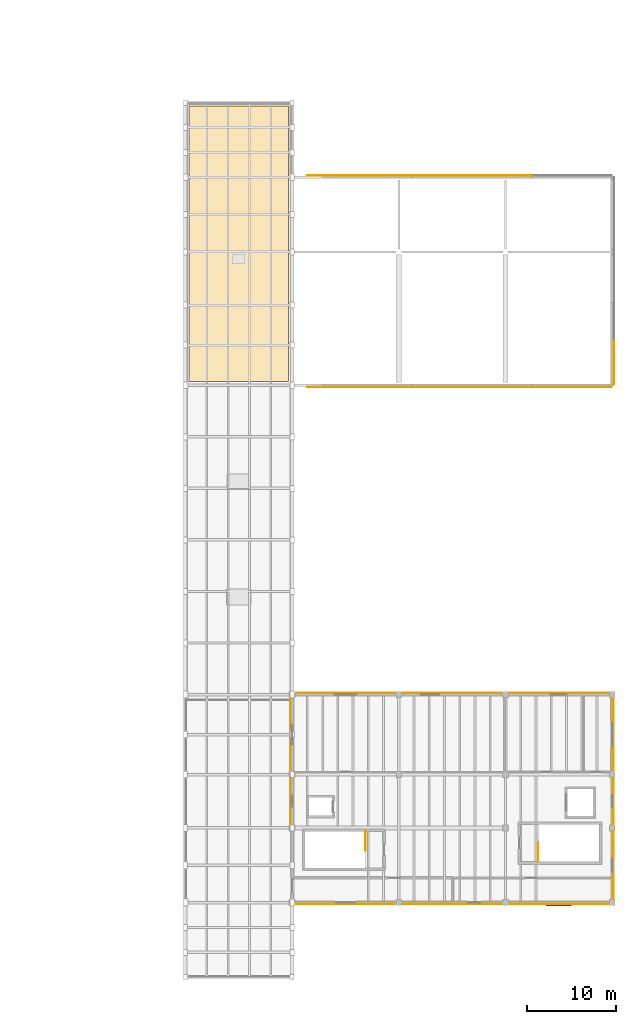
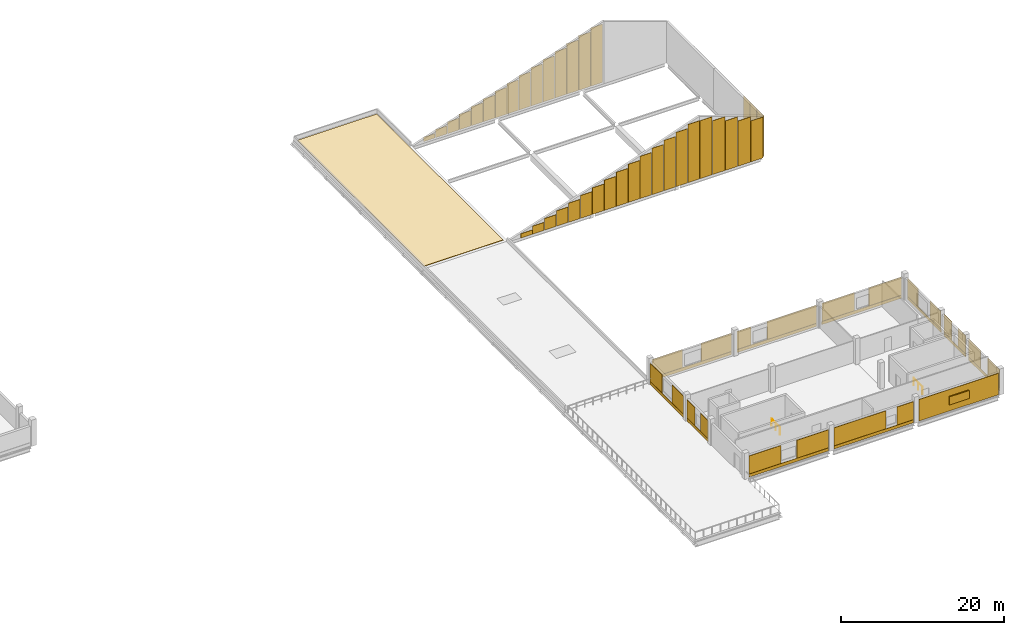
# One storey, part 18 of 19: 70 coverings, 2 railings, 1 shading device.
"""IFC4 building model written with IfcOpenShell, lengths in metres."""

from ifc_helpers import new_model, si_unit, direction, frame, origin, origin_2d, place, context, subcontext, project, spatial, polyline, rectangle, circle, outline, extrude, material, layer, layer_set, type_object, element, save


model = new_model("IFC4")

# Units and contexts
model_context = context("Model", 3, precision=1e-05, world=origin(), true_north=direction((0.0, 1.0)))
body_context = subcontext(model_context, "Body", "Model", "MODEL_VIEW")
ifc_project = project(units=[si_unit("LENGTHUNIT", "METRE"), si_unit("AREAUNIT", "SQUARE_METRE"), si_unit("VOLUMEUNIT", "CUBIC_METRE"), si_unit("PLANEANGLEUNIT", "RADIAN"), si_unit("MASSUNIT", "GRAM", prefix="KILO")], contexts=[model_context])

# Site, building, storey
site_placement = place(None, origin())
site = spatial("IfcSite", under=ifc_project, at=site_placement, CompositionType="ELEMENT")
building_placement = place(site_placement, origin())
building = spatial("IfcBuilding", under=site, at=building_placement, Name="Kelmvaro Bay Concert Hall", CompositionType="ELEMENT")
storey_placement = place(building_placement, frame((0.0, 0.0, 18.300048828125)))
storey = spatial("IfcBuildingStorey", under=building, at=storey_placement, Name="L04", CompositionType="ELEMENT", Elevation=18.300048828125)

# Coverings
ifc_material_1 = material(Name="Honed Florida Limestone Travertine", Category="masonry")
ifc_layer_1 = layer(ifc_material_1, 0.054931640625)
ifc_layer_set_1 = layer_set([ifc_layer_1], Name="Honed Florida Limestone Travertine")
covering_type_1 = type_object("IfcCoveringType", Name="Honed Florida Travertine Rainscreen Cladding 55", PredefinedType="CLADDING", material=ifc_layer_set_1)
for number, where, z_axis, x_axis, name in (
    (1, (168.185546875, 77.978515625, 0.010009765625), (0.0, 0.0, 1.0), (0.0, -1.0, 0.0), "L04 Raked Travertine Gable Panel 0467"),
    (2, (168.185546875, 76.30712890625, 0.010009765625), (0.0, 0.0, 1.0), (0.0, -1.0, 0.0), "L04 Raked Travertine Gable Panel 0468"),
    (3, (168.185546875, 74.6357421875, 0.010009765625), (0.0, 0.0, 1.0), (0.0, -1.0, 0.0), "L04 Raked Travertine Gable Panel 0469"),
):
    element("IfcCovering", number, at=place(storey_placement, frame(where, z_axis=z_axis, x_axis=x_axis)), inside=storey, type_object=covering_type_1, Name=name, PredefinedType="CLADDING", context=body_context, shape_type="SweptSolid", body=[
        extrude(rectangle(XDim=1.611083984375, YDim=0.054931640625, at=origin_2d()), origin(), (0.0, 0.0, 1.0), 6.10009765625),
    ])
covering_1_placement = place(storey_placement, frame((167.10009765625, 73.614501953125, 0.009765625), z_axis=(0.0, 0.0, 1.0), x_axis=(-1.0, 0.0, 0.0)))
element("IfcCovering", 4, at=covering_1_placement, inside=storey, type_object=covering_type_1, Name="L04 Raked Travertine Gable Panel 0477", PredefinedType="CLADDING", context=body_context, shape_type="SweptSolid", body=[
    extrude(rectangle(XDim=1.739990234375, YDim=0.054931640625, at=origin_2d()), origin(), (0.0, 0.0, 1.0), 6.111083984375),
])
covering_2_placement = place(storey_placement, frame((165.300048828125, 73.614501953125, 0.009765625), z_axis=(0.0, 0.0, 1.0), x_axis=(-1.0, 0.0, 0.0)))
element("IfcCovering", 5, at=covering_2_placement, inside=storey, type_object=covering_type_1, Name="L04 Raked Travertine Gable Panel 0478", PredefinedType="CLADDING", context=body_context, shape_type="SweptSolid", body=[
    extrude(rectangle(XDim=1.739990234375, YDim=0.054931640625, at=origin_2d()), origin(), (0.0, 0.0, 1.0), 6.748046875),
])
covering_3_placement = place(storey_placement, frame((163.5, 73.614501953125, 0.009765625), z_axis=(0.0, 0.0, 1.0), x_axis=(-1.0, 0.0, 0.0)))
element("IfcCovering", 6, at=covering_3_placement, inside=storey, type_object=covering_type_1, Name="L04 Raked Travertine Gable Panel 0479", PredefinedType="CLADDING", context=body_context, shape_type="SweptSolid", body=[
    extrude(rectangle(XDim=1.739990234375, YDim=0.054931640625, at=origin_2d()), origin(), (0.0, 0.0, 1.0), 7.385009765625),
])
covering_4_placement = place(storey_placement, frame((161.699951171875, 73.614501953125, 0.010009765625), z_axis=(0.0, 0.0, 1.0), x_axis=(-1.0, 0.0, 0.0)))
element("IfcCovering", 7, at=covering_4_placement, inside=storey, type_object=covering_type_1, Name="L04 Raked Travertine Gable Panel 0480", PredefinedType="CLADDING", context=body_context, shape_type="SweptSolid", body=[
    extrude(rectangle(XDim=1.739990234375, YDim=0.054931640625, at=origin_2d()), origin(), (0.0, 0.0, 1.0), 8.02197265625),
])
covering_5_placement = place(storey_placement, frame((159.89990234375, 73.614501953125, 0.01025390625), z_axis=(0.0, 0.0, 1.0), x_axis=(-1.0, 0.0, 0.0)))
element("IfcCovering", 8, at=covering_5_placement, inside=storey, type_object=covering_type_1, Name="L04 Raked Travertine Gable Panel 0481", PredefinedType="CLADDING", context=body_context, shape_type="SweptSolid", body=[
    extrude(rectangle(XDim=1.739990234375, YDim=0.054931640625, at=origin_2d()), origin(), (0.0, 0.0, 1.0), 8.658935546875),
])
covering_6_placement = place(storey_placement, frame((158.15625, 73.614501953125, 0.009765625), z_axis=(0.0, 0.0, 1.0), x_axis=(-1.0, 0.0, 0.0)))
element("IfcCovering", 9, at=covering_6_placement, inside=storey, type_object=covering_type_1, Name="L04 Raked Travertine Gable Panel 0482", PredefinedType="CLADDING", context=body_context, shape_type="SweptSolid", body=[
    extrude(rectangle(XDim=1.626953125, YDim=0.054931640625, at=origin_2d()), origin(), (0.0, 0.0, 1.0), 8.698974609375),
])
covering_7_placement = place(storey_placement, frame((156.46875, 73.614501953125, 0.010009765625), z_axis=(0.0, 0.0, 1.0), x_axis=(-1.0, 0.0, 0.0)))
element("IfcCovering", 10, at=covering_7_placement, inside=storey, type_object=covering_type_1, Name="L04 Raked Travertine Gable Panel 0483", PredefinedType="CLADDING", context=body_context, shape_type="SweptSolid", body=[
    extrude(rectangle(XDim=1.6279296875, YDim=0.054931640625, at=origin_2d()), origin(), (0.0, 0.0, 1.0), 8.10107421875),
])
covering_8_placement = place(storey_placement, frame((154.78125, 73.614501953125, 0.010009765625), z_axis=(0.0, 0.0, 1.0), x_axis=(-1.0, 0.0, 0.0)))
element("IfcCovering", 11, at=covering_8_placement, inside=storey, type_object=covering_type_1, Name="L04 Raked Travertine Gable Panel 0484", PredefinedType="CLADDING", context=body_context, shape_type="SweptSolid", body=[
    extrude(rectangle(XDim=1.626953125, YDim=0.054931640625, at=origin_2d()), origin(), (0.0, 0.0, 1.0), 7.50390625),
])
covering_9_placement = place(storey_placement, frame((153.09375, 73.614501953125, 0.01025390625), z_axis=(0.0, 0.0, 1.0), x_axis=(-1.0, 0.0, 0.0)))
element("IfcCovering", 12, at=covering_9_placement, inside=storey, type_object=covering_type_1, Name="L04 Raked Travertine Gable Panel 0485", PredefinedType="CLADDING", context=body_context, shape_type="SweptSolid", body=[
    extrude(rectangle(XDim=1.626953125, YDim=0.054931640625, at=origin_2d()), origin(), (0.0, 0.0, 1.0), 6.906005859375),
])
covering_10_placement = place(storey_placement, frame((151.40625, 73.614501953125, 0.009765625), z_axis=(0.0, 0.0, 1.0), x_axis=(-1.0, 0.0, 0.0)))
element("IfcCovering", 13, at=covering_10_placement, inside=storey, type_object=covering_type_1, Name="L04 Raked Travertine Gable Panel 0486", PredefinedType="CLADDING", context=body_context, shape_type="SweptSolid", body=[
    extrude(rectangle(XDim=1.6279296875, YDim=0.054931640625, at=origin_2d()), origin(), (0.0, 0.0, 1.0), 6.30908203125),
])
covering_11_placement = place(storey_placement, frame((149.71875, 73.614501953125, 0.010009765625), z_axis=(0.0, 0.0, 1.0), x_axis=(-1.0, 0.0, 0.0)))
element("IfcCovering", 14, at=covering_11_placement, inside=storey, type_object=covering_type_1, Name="L04 Raked Travertine Gable Panel 0487", PredefinedType="CLADDING", context=body_context, shape_type="SweptSolid", body=[
    extrude(rectangle(XDim=1.6279296875, YDim=0.054931640625, at=origin_2d()), origin(), (0.0, 0.0, 1.0), 5.7109375),
])
covering_12_placement = place(storey_placement, frame((148.03125, 73.614501953125, 0.01025390625), z_axis=(0.0, 0.0, 1.0), x_axis=(-1.0, 0.0, 0.0)))
element("IfcCovering", 15, at=covering_12_placement, inside=storey, type_object=covering_type_1, Name="L04 Raked Travertine Gable Panel 0488", PredefinedType="CLADDING", context=body_context, shape_type="SweptSolid", body=[
    extrude(rectangle(XDim=1.6279296875, YDim=0.054931640625, at=origin_2d()), origin(), (0.0, 0.0, 1.0), 5.113037109375),
])
covering_13_placement = place(storey_placement, frame((146.34375, 73.614501953125, 0.009765625), z_axis=(0.0, 0.0, 1.0), x_axis=(-1.0, 0.0, 0.0)))
element("IfcCovering", 16, at=covering_13_placement, inside=storey, type_object=covering_type_1, Name="L04 Raked Travertine Gable Panel 0489", PredefinedType="CLADDING", context=body_context, shape_type="SweptSolid", body=[
    extrude(rectangle(XDim=1.6279296875, YDim=0.054931640625, at=origin_2d()), origin(), (0.0, 0.0, 1.0), 4.51611328125),
])
covering_14_placement = place(storey_placement, frame((144.65625, 73.614501953125, 0.010009765625), z_axis=(0.0, 0.0, 1.0), x_axis=(-1.0, 0.0, 0.0)))
element("IfcCovering", 17, at=covering_14_placement, inside=storey, type_object=covering_type_1, Name="L04 Raked Travertine Gable Panel 0490", PredefinedType="CLADDING", context=body_context, shape_type="SweptSolid", body=[
    extrude(rectangle(XDim=1.626953125, YDim=0.054931640625, at=origin_2d()), origin(), (0.0, 0.0, 1.0), 3.9619140625),
])
covering_15_placement = place(storey_placement, frame((142.96875, 73.614501953125, 0.009765625), z_axis=(0.0, 0.0, 1.0), x_axis=(-1.0, 0.0, 0.0)))
element("IfcCovering", 18, at=covering_15_placement, inside=storey, type_object=covering_type_1, Name="L04 Raked Travertine Gable Panel 0491", PredefinedType="CLADDING", context=body_context, shape_type="SweptSolid", body=[
    extrude(rectangle(XDim=1.6279296875, YDim=0.054931640625, at=origin_2d()), origin(), (0.0, 0.0, 1.0), 3.408935546875),
])
covering_16_placement = place(storey_placement, frame((141.28125, 73.614501953125, 0.009765625), z_axis=(0.0, 0.0, 1.0), x_axis=(-1.0, 0.0, 0.0)))
element("IfcCovering", 19, at=covering_16_placement, inside=storey, type_object=covering_type_1, Name="L04 Raked Travertine Gable Panel 0492", PredefinedType="CLADDING", context=body_context, shape_type="SweptSolid", body=[
    extrude(rectangle(XDim=1.626953125, YDim=0.054931640625, at=origin_2d()), origin(), (0.0, 0.0, 1.0), 2.85595703125),
])
covering_17_placement = place(storey_placement, frame((139.59375, 73.614501953125, 0.01025390625), z_axis=(0.0, 0.0, 1.0), x_axis=(-1.0, 0.0, 0.0)))
element("IfcCovering", 20, at=covering_17_placement, inside=storey, type_object=covering_type_1, Name="L04 Raked Travertine Gable Panel 0493", PredefinedType="CLADDING", context=body_context, shape_type="SweptSolid", body=[
    extrude(rectangle(XDim=1.626953125, YDim=0.054931640625, at=origin_2d()), origin(), (0.0, 0.0, 1.0), 2.302001953125),
])
covering_18_placement = place(storey_placement, frame((137.90625, 73.614501953125, 0.010009765625), z_axis=(0.0, 0.0, 1.0), x_axis=(-1.0, 0.0, 0.0)))
element("IfcCovering", 21, at=covering_18_placement, inside=storey, type_object=covering_type_1, Name="L04 Raked Travertine Gable Panel 0494", PredefinedType="CLADDING", context=body_context, shape_type="SweptSolid", body=[
    extrude(rectangle(XDim=1.6279296875, YDim=0.054931640625, at=origin_2d()), origin(), (0.0, 0.0, 1.0), 1.7490234375),
])
covering_19_placement = place(storey_placement, frame((136.21875, 73.614501953125, 0.01025390625), z_axis=(0.0, 0.0, 1.0), x_axis=(-1.0, 0.0, 0.0)))
element("IfcCovering", 22, at=covering_19_placement, inside=storey, type_object=covering_type_1, Name="L04 Raked Travertine Gable Panel 0495", PredefinedType="CLADDING", context=body_context, shape_type="SweptSolid", body=[
    extrude(rectangle(XDim=1.6279296875, YDim=0.054931640625, at=origin_2d()), origin(), (0.0, 0.0, 1.0), 1.196044921875),
])
for number, where, z_axis, x_axis, name in (
    (23, (134.53125, 73.614501953125, 0.010009765625), (0.0, 0.0, 1.0), (-1.0, 0.0, 0.0), "L04 Raked Travertine Gable Panel 0496"),
    (24, (134.53125, 97.385498046875, 0.010009765625), (0.0, 0.0, 1.0), (1.0, 0.0, 0.0), "L04 Raked Travertine Gable Panel 0497"),
):
    element("IfcCovering", number, at=place(storey_placement, frame(where, z_axis=z_axis, x_axis=x_axis)), inside=storey, type_object=covering_type_1, Name=name, PredefinedType="CLADDING", context=body_context, shape_type="SweptSolid", body=[
        extrude(rectangle(XDim=1.6279296875, YDim=0.054931640625, at=origin_2d()), origin(), (0.0, 0.0, 1.0), 0.64306640625),
    ])
covering_20_placement = place(storey_placement, frame((136.21875, 97.385498046875, 0.01025390625), z_axis=(0.0, 0.0, 1.0), x_axis=(1.0, 0.0, 0.0)))
element("IfcCovering", 25, at=covering_20_placement, inside=storey, type_object=covering_type_1, Name="L04 Raked Travertine Gable Panel 0498", PredefinedType="CLADDING", context=body_context, shape_type="SweptSolid", body=[
    extrude(rectangle(XDim=1.626953125, YDim=0.054931640625, at=origin_2d()), origin(), (0.0, 0.0, 1.0), 1.196044921875),
])
covering_21_placement = place(storey_placement, frame((137.90625, 97.385498046875, 0.010009765625), z_axis=(0.0, 0.0, 1.0), x_axis=(1.0, 0.0, 0.0)))
element("IfcCovering", 26, at=covering_21_placement, inside=storey, type_object=covering_type_1, Name="L04 Raked Travertine Gable Panel 0499", PredefinedType="CLADDING", context=body_context, shape_type="SweptSolid", body=[
    extrude(rectangle(XDim=1.626953125, YDim=0.054931640625, at=origin_2d()), origin(), (0.0, 0.0, 1.0), 1.7490234375),
])
covering_22_placement = place(storey_placement, frame((139.59375, 97.385498046875, 0.01025390625), z_axis=(0.0, 0.0, 1.0), x_axis=(1.0, 0.0, 0.0)))
element("IfcCovering", 27, at=covering_22_placement, inside=storey, type_object=covering_type_1, Name="L04 Raked Travertine Gable Panel 0500", PredefinedType="CLADDING", context=body_context, shape_type="SweptSolid", body=[
    extrude(rectangle(XDim=1.6279296875, YDim=0.054931640625, at=origin_2d()), origin(), (0.0, 0.0, 1.0), 2.302001953125),
])
covering_23_placement = place(storey_placement, frame((141.28125, 97.385498046875, 0.009765625), z_axis=(0.0, 0.0, 1.0), x_axis=(1.0, 0.0, 0.0)))
element("IfcCovering", 28, at=covering_23_placement, inside=storey, type_object=covering_type_1, Name="L04 Raked Travertine Gable Panel 0501", PredefinedType="CLADDING", context=body_context, shape_type="SweptSolid", body=[
    extrude(rectangle(XDim=1.6279296875, YDim=0.054931640625, at=origin_2d()), origin(), (0.0, 0.0, 1.0), 2.85595703125),
])
covering_24_placement = place(storey_placement, frame((142.96875, 97.385498046875, 0.009765625), z_axis=(0.0, 0.0, 1.0), x_axis=(1.0, 0.0, 0.0)))
element("IfcCovering", 29, at=covering_24_placement, inside=storey, type_object=covering_type_1, Name="L04 Raked Travertine Gable Panel 0502", PredefinedType="CLADDING", context=body_context, shape_type="SweptSolid", body=[
    extrude(rectangle(XDim=1.6279296875, YDim=0.054931640625, at=origin_2d()), origin(), (0.0, 0.0, 1.0), 3.408935546875),
])
covering_25_placement = place(storey_placement, frame((144.65625, 97.385498046875, 0.010009765625), z_axis=(0.0, 0.0, 1.0), x_axis=(1.0, 0.0, 0.0)))
element("IfcCovering", 30, at=covering_25_placement, inside=storey, type_object=covering_type_1, Name="L04 Raked Travertine Gable Panel 0503", PredefinedType="CLADDING", context=body_context, shape_type="SweptSolid", body=[
    extrude(rectangle(XDim=1.6279296875, YDim=0.054931640625, at=origin_2d()), origin(), (0.0, 0.0, 1.0), 3.9619140625),
])
covering_26_placement = place(storey_placement, frame((146.34375, 97.385498046875, 0.009765625), z_axis=(0.0, 0.0, 1.0), x_axis=(1.0, 0.0, 0.0)))
element("IfcCovering", 31, at=covering_26_placement, inside=storey, type_object=covering_type_1, Name="L04 Raked Travertine Gable Panel 0504", PredefinedType="CLADDING", context=body_context, shape_type="SweptSolid", body=[
    extrude(rectangle(XDim=1.626953125, YDim=0.054931640625, at=origin_2d()), origin(), (0.0, 0.0, 1.0), 4.51611328125),
])
covering_27_placement = place(storey_placement, frame((148.03125, 97.385498046875, 0.01025390625), z_axis=(0.0, 0.0, 1.0), x_axis=(1.0, 0.0, 0.0)))
element("IfcCovering", 32, at=covering_27_placement, inside=storey, type_object=covering_type_1, Name="L04 Raked Travertine Gable Panel 0505", PredefinedType="CLADDING", context=body_context, shape_type="SweptSolid", body=[
    extrude(rectangle(XDim=1.6279296875, YDim=0.054931640625, at=origin_2d()), origin(), (0.0, 0.0, 1.0), 5.113037109375),
])
covering_28_placement = place(storey_placement, frame((149.71875, 97.385498046875, 0.010009765625), z_axis=(0.0, 0.0, 1.0), x_axis=(1.0, 0.0, 0.0)))
element("IfcCovering", 33, at=covering_28_placement, inside=storey, type_object=covering_type_1, Name="L04 Raked Travertine Gable Panel 0506", PredefinedType="CLADDING", context=body_context, shape_type="SweptSolid", body=[
    extrude(rectangle(XDim=1.626953125, YDim=0.054931640625, at=origin_2d()), origin(), (0.0, 0.0, 1.0), 5.7109375),
])
covering_29_placement = place(storey_placement, frame((151.40625, 97.385498046875, 0.009765625), z_axis=(0.0, 0.0, 1.0), x_axis=(1.0, 0.0, 0.0)))
element("IfcCovering", 34, at=covering_29_placement, inside=storey, type_object=covering_type_1, Name="L04 Raked Travertine Gable Panel 0507", PredefinedType="CLADDING", context=body_context, shape_type="SweptSolid", body=[
    extrude(rectangle(XDim=1.626953125, YDim=0.054931640625, at=origin_2d()), origin(), (0.0, 0.0, 1.0), 6.30908203125),
])
covering_30_placement = place(storey_placement, frame((153.09375, 97.385498046875, 0.01025390625), z_axis=(0.0, 0.0, 1.0), x_axis=(1.0, 0.0, 0.0)))
element("IfcCovering", 35, at=covering_30_placement, inside=storey, type_object=covering_type_1, Name="L04 Raked Travertine Gable Panel 0508", PredefinedType="CLADDING", context=body_context, shape_type="SweptSolid", body=[
    extrude(rectangle(XDim=1.6279296875, YDim=0.054931640625, at=origin_2d()), origin(), (0.0, 0.0, 1.0), 6.906005859375),
])
covering_31_placement = place(storey_placement, frame((154.78125, 97.385498046875, 0.010009765625), z_axis=(0.0, 0.0, 1.0), x_axis=(1.0, 0.0, 0.0)))
element("IfcCovering", 36, at=covering_31_placement, inside=storey, type_object=covering_type_1, Name="L04 Raked Travertine Gable Panel 0509", PredefinedType="CLADDING", context=body_context, shape_type="SweptSolid", body=[
    extrude(rectangle(XDim=1.6279296875, YDim=0.054931640625, at=origin_2d()), origin(), (0.0, 0.0, 1.0), 7.50390625),
])
covering_32_placement = place(storey_placement, frame((156.46875, 97.385498046875, 0.010009765625), z_axis=(0.0, 0.0, 1.0), x_axis=(1.0, 0.0, 0.0)))
element("IfcCovering", 37, at=covering_32_placement, inside=storey, type_object=covering_type_1, Name="L04 Raked Travertine Gable Panel 0510", PredefinedType="CLADDING", context=body_context, shape_type="SweptSolid", body=[
    extrude(rectangle(XDim=1.6279296875, YDim=0.054931640625, at=origin_2d()), origin(), (0.0, 0.0, 1.0), 8.10107421875),
])
covering_33_placement = place(storey_placement, frame((158.15625, 97.385498046875, 0.009765625), z_axis=(0.0, 0.0, 1.0), x_axis=(1.0, 0.0, 0.0)))
element("IfcCovering", 38, at=covering_33_placement, inside=storey, type_object=covering_type_1, Name="L04 Raked Travertine Gable Panel 0511", PredefinedType="CLADDING", context=body_context, shape_type="SweptSolid", body=[
    extrude(rectangle(XDim=1.6279296875, YDim=0.054931640625, at=origin_2d()), origin(), (0.0, 0.0, 1.0), 8.698974609375),
])
covering_34_placement = place(storey_placement, frame((138.0, 15.4345703125, 0.0400390625), z_axis=(0.0, 0.0, 1.0), x_axis=(-1.0, 0.0, 0.0)))
element("IfcCovering", 39, at=covering_34_placement, inside=storey, type_object=covering_type_1, Name="L04 Travertine Sill Band 0842", PredefinedType="CLADDING", context=body_context, shape_type="SweptSolid", body=[
    extrude(rectangle(XDim=11.22998046875, YDim=0.054931640625, at=origin_2d()), origin(), (0.0, 0.0, 1.0), 0.4599609375),
])
for number, where, z_axis, x_axis, name in (
    (40, (141.360107421875, 15.4345703125, 0.52001953125), (0.0, 0.0, 1.0), (-1.0, 0.0, 0.0), "L04 Travertine Pier Panel 0843"),
    (41, (134.639892578125, 15.4345703125, 0.52001953125), (0.0, 0.0, 1.0), (-1.0, 0.0, 0.0), "L04 Travertine Pier Panel 0844"),
):
    element("IfcCovering", number, at=place(storey_placement, frame(where, z_axis=z_axis, x_axis=x_axis)), inside=storey, type_object=covering_type_1, Name=name, PredefinedType="CLADDING", context=body_context, shape_type="SweptSolid", body=[
        extrude(rectangle(XDim=4.469970703125, YDim=0.054931640625, at=origin_2d()), origin(), (0.0, 0.0, 1.0), 2.68896484375),
    ])
covering_35_placement = place(storey_placement, frame((150.0, 15.4345703125, 0.0400390625), z_axis=(0.0, 0.0, 1.0), x_axis=(-1.0, 0.0, 0.0)))
element("IfcCovering", 42, at=covering_35_placement, inside=storey, type_object=covering_type_1, Name="L04 Travertine Sill Band 0845", PredefinedType="CLADDING", context=body_context, shape_type="SweptSolid", body=[
    extrude(rectangle(XDim=11.22998046875, YDim=0.054931640625, at=origin_2d()), origin(), (0.0, 0.0, 1.0), 0.4599609375),
])
covering_36_placement = place(storey_placement, frame((154.446044921875, 15.4345703125, 0.52001953125), z_axis=(0.0, 0.0, 1.0), x_axis=(-1.0, 0.0, 0.0)))
element("IfcCovering", 43, at=covering_36_placement, inside=storey, type_object=covering_type_1, Name="L04 Travertine Pier Panel 0846", PredefinedType="CLADDING", context=body_context, shape_type="SweptSolid", body=[
    extrude(rectangle(XDim=2.298095703125, YDim=0.054931640625, at=origin_2d()), origin(), (0.0, 0.0, 1.0), 2.68896484375),
])
covering_37_placement = place(storey_placement, frame((148.051025390625, 15.4345703125, 0.52001953125), z_axis=(0.0, 0.0, 1.0), x_axis=(-1.0, 0.0, 0.0)))
element("IfcCovering", 44, at=covering_37_placement, inside=storey, type_object=covering_type_1, Name="L04 Travertine Pier Panel 0847", PredefinedType="CLADDING", context=body_context, shape_type="SweptSolid", body=[
    extrude(rectangle(XDim=7.2919921875, YDim=0.054931640625, at=origin_2d()), origin(), (0.0, 0.0, 1.0), 2.68896484375),
])
covering_38_placement = place(storey_placement, frame((162.0, 15.4345703125, 0.030029296875), z_axis=(0.0, 0.0, 1.0), x_axis=(-1.0, 0.0, 0.0)))
element("IfcCovering", 45, at=covering_38_placement, inside=storey, type_object=covering_type_1, Name="L04 Travertine Cladding Panel 0848", PredefinedType="CLADDING", context=body_context, shape_type="SweptSolid", body=[
    extrude(rectangle(XDim=11.22998046875, YDim=0.054931640625, at=origin_2d()), origin(), (0.0, 0.0, 1.0), 3.208984375),
])
covering_39_placement = place(storey_placement, frame((138.0, 39.16552734375, 0.0400390625), z_axis=(0.0, 0.0, 1.0), x_axis=(1.0, 0.0, 0.0)))
element("IfcCovering", 46, at=covering_39_placement, inside=storey, type_object=covering_type_1, Name="L04 Travertine Sill Band 0849", PredefinedType="CLADDING", context=body_context, shape_type="SweptSolid", body=[
    extrude(rectangle(XDim=11.22998046875, YDim=0.054931640625, at=origin_2d()), origin(), (0.0, 0.0, 1.0), 0.4599609375),
])
for number, where, z_axis, x_axis, name in (
    (47, (134.552490234375, 39.16552734375, 0.52001953125), (0.0, 0.0, 1.0), (1.0, 0.0, 0.0), "L04 Travertine Pier Panel 0850"),
    (48, (141.447509765625, 39.16552734375, 0.52001953125), (0.0, 0.0, 1.0), (1.0, 0.0, 0.0), "L04 Travertine Pier Panel 0851"),
):
    element("IfcCovering", number, at=place(storey_placement, frame(where, z_axis=z_axis, x_axis=x_axis)), inside=storey, type_object=covering_type_1, Name=name, PredefinedType="CLADDING", context=body_context, shape_type="SweptSolid", body=[
        extrude(rectangle(XDim=4.294921875, YDim=0.054931640625, at=origin_2d()), origin(), (0.0, 0.0, 1.0), 2.68896484375),
    ])
covering_40_placement = place(storey_placement, frame((150.0, 39.16552734375, 0.0400390625), z_axis=(0.0, 0.0, 1.0), x_axis=(1.0, 0.0, 0.0)))
element("IfcCovering", 49, at=covering_40_placement, inside=storey, type_object=covering_type_1, Name="L04 Travertine Sill Band 0852", PredefinedType="CLADDING", context=body_context, shape_type="SweptSolid", body=[
    extrude(rectangle(XDim=11.22998046875, YDim=0.054931640625, at=origin_2d()), origin(), (0.0, 0.0, 1.0), 0.4599609375),
])
covering_41_placement = place(storey_placement, frame((145.37890625, 39.16552734375, 0.52001953125), z_axis=(0.0, 0.0, 1.0), x_axis=(1.0, 0.0, 0.0)))
element("IfcCovering", 50, at=covering_41_placement, inside=storey, type_object=covering_type_1, Name="L04 Travertine Pier Panel 0853", PredefinedType="CLADDING", context=body_context, shape_type="SweptSolid", body=[
    extrude(rectangle(XDim=1.947998046875, YDim=0.054931640625, at=origin_2d()), origin(), (0.0, 0.0, 1.0), 2.68896484375),
])
covering_42_placement = place(storey_placement, frame((152.1240234375, 39.16552734375, 0.52001953125), z_axis=(0.0, 0.0, 1.0), x_axis=(1.0, 0.0, 0.0)))
element("IfcCovering", 51, at=covering_42_placement, inside=storey, type_object=covering_type_1, Name="L04 Travertine Pier Panel 0854", PredefinedType="CLADDING", context=body_context, shape_type="SweptSolid", body=[
    extrude(rectangle(XDim=6.94189453125, YDim=0.054931640625, at=origin_2d()), origin(), (0.0, 0.0, 1.0), 2.68896484375),
])
covering_43_placement = place(storey_placement, frame((162.0, 39.16552734375, 0.0400390625), z_axis=(0.0, 0.0, 1.0), x_axis=(1.0, 0.0, 0.0)))
element("IfcCovering", 52, at=covering_43_placement, inside=storey, type_object=covering_type_1, Name="L04 Travertine Sill Band 0855", PredefinedType="CLADDING", context=body_context, shape_type="SweptSolid", body=[
    extrude(rectangle(XDim=11.22998046875, YDim=0.054931640625, at=origin_2d()), origin(), (0.0, 0.0, 1.0), 0.4599609375),
])
for number, where, z_axis, x_axis, name in (
    (53, (158.702392578125, 39.16552734375, 0.52001953125), (0.0, 0.0, 1.0), (1.0, 0.0, 0.0), "L04 Travertine Pier Panel 0856"),
    (54, (165.297607421875, 39.16552734375, 0.52001953125), (0.0, 0.0, 1.0), (1.0, 0.0, 0.0), "L04 Travertine Pier Panel 0857"),
):
    element("IfcCovering", number, at=place(storey_placement, frame(where, z_axis=z_axis, x_axis=x_axis)), inside=storey, type_object=covering_type_1, Name=name, PredefinedType="CLADDING", context=body_context, shape_type="SweptSolid", body=[
        extrude(rectangle(XDim=4.594970703125, YDim=0.054931640625, at=origin_2d()), origin(), (0.0, 0.0, 1.0), 2.68896484375),
    ])
covering_44_placement = place(storey_placement, frame((168.16552734375, 19.800048828125, 0.0400390625), z_axis=(0.0, 0.0, 1.0), x_axis=(0.0, -1.0, 0.0)))
element("IfcCovering", 55, at=covering_44_placement, inside=storey, type_object=covering_type_1, Name="L04 Travertine Sill Band 0858", PredefinedType="CLADDING", context=body_context, shape_type="SweptSolid", body=[
    extrude(rectangle(XDim=7.6298828125, YDim=0.054931640625, at=origin_2d()), origin(), (0.0, 0.0, 1.0), 0.4599609375),
])
for number, where, z_axis, x_axis, name in (
    (56, (168.16552734375, 22.12255859375, 0.52001953125), (0.0, 0.0, 1.0), (0.0, -1.0, 0.0), "L04 Travertine Pier Panel 0859"),
    (57, (168.16552734375, 17.4775390625, 0.52001953125), (0.0, 0.0, 1.0), (0.0, -1.0, 0.0), "L04 Travertine Pier Panel 0860"),
):
    element("IfcCovering", number, at=place(storey_placement, frame(where, z_axis=z_axis, x_axis=x_axis)), inside=storey, type_object=covering_type_1, Name=name, PredefinedType="CLADDING", context=body_context, shape_type="SweptSolid", body=[
        extrude(rectangle(XDim=2.945068359375, YDim=0.054931640625, at=origin_2d()), origin(), (0.0, 0.0, 1.0), 2.68798828125),
    ])
covering_45_placement = place(storey_placement, frame((168.16552734375, 27.0, 0.0400390625), z_axis=(0.0, 0.0, 1.0), x_axis=(0.0, -1.0, 0.0)))
element("IfcCovering", 58, at=covering_45_placement, inside=storey, type_object=covering_type_1, Name="L04 Travertine Sill Band 0861", PredefinedType="CLADDING", context=body_context, shape_type="SweptSolid", body=[
    extrude(rectangle(XDim=5.22998046875, YDim=0.054931640625, at=origin_2d()), origin(), (0.0, 0.0, 1.0), 0.4599609375),
])
for number, where, z_axis, x_axis, name in (
    (59, (168.16552734375, 28.68505859375, 0.52001953125), (0.0, 0.0, 1.0), (0.0, -1.0, 0.0), "L04 Travertine Pier Panel 0862"),
    (60, (168.16552734375, 25.31494140625, 0.52001953125), (0.0, 0.0, 1.0), (0.0, -1.0, 0.0), "L04 Travertine Pier Panel 0863"),
):
    element("IfcCovering", number, at=place(storey_placement, frame(where, z_axis=z_axis, x_axis=x_axis)), inside=storey, type_object=covering_type_1, Name=name, PredefinedType="CLADDING", context=body_context, shape_type="SweptSolid", body=[
        extrude(rectangle(XDim=1.820068359375, YDim=0.054931640625, at=origin_2d()), origin(), (0.0, 0.0, 1.0), 2.68798828125),
    ])
covering_46_placement = place(storey_placement, frame((131.83447265625, 27.0, 0.0400390625), z_axis=(0.0, 0.0, 1.0), x_axis=(0.0, 1.0, 0.0)))
element("IfcCovering", 61, at=covering_46_placement, inside=storey, type_object=covering_type_1, Name="L04 Travertine Sill Band 0864", PredefinedType="CLADDING", context=body_context, shape_type="SweptSolid", body=[
    extrude(rectangle(XDim=5.22998046875, YDim=0.054931640625, at=origin_2d()), origin(), (0.0, 0.0, 1.0), 0.4599609375),
])
for number, where, z_axis, x_axis, name in (
    (62, (131.83447265625, 25.3525390625, 0.52001953125), (0.0, 0.0, 1.0), (0.0, 1.0, 0.0), "L04 Travertine Pier Panel 0865"),
    (63, (131.83447265625, 28.6474609375, 0.52001953125), (0.0, 0.0, 1.0), (0.0, 1.0, 0.0), "L04 Travertine Pier Panel 0866"),
):
    element("IfcCovering", number, at=place(storey_placement, frame(where, z_axis=z_axis, x_axis=x_axis)), inside=storey, type_object=covering_type_1, Name=name, PredefinedType="CLADDING", context=body_context, shape_type="SweptSolid", body=[
        extrude(rectangle(XDim=1.89501953125, YDim=0.054931640625, at=origin_2d()), origin(), (0.0, 0.0, 1.0), 2.68798828125),
    ])
covering_47_placement = place(storey_placement, frame((168.16552734375, 34.5, 0.0400390625), z_axis=(0.0, 0.0, 1.0), x_axis=(0.0, -1.0, 0.0)))
element("IfcCovering", 64, at=covering_47_placement, inside=storey, type_object=covering_type_1, Name="L04 Travertine Sill Band 0867", PredefinedType="CLADDING", context=body_context, shape_type="SweptSolid", body=[
    extrude(rectangle(XDim=8.22998046875, YDim=0.054931640625, at=origin_2d()), origin(), (0.0, 0.0, 1.0), 0.4599609375),
])
for number, where, z_axis, x_axis, name in (
    (65, (168.16552734375, 37.2724609375, 0.52001953125), (0.0, 0.0, 1.0), (0.0, -1.0, 0.0), "L04 Travertine Pier Panel 0868"),
    (66, (168.16552734375, 31.7275390625, 0.52001953125), (0.0, 0.0, 1.0), (0.0, -1.0, 0.0), "L04 Travertine Pier Panel 0869"),
):
    element("IfcCovering", number, at=place(storey_placement, frame(where, z_axis=z_axis, x_axis=x_axis)), inside=storey, type_object=covering_type_1, Name=name, PredefinedType="CLADDING", context=body_context, shape_type="SweptSolid", body=[
        extrude(rectangle(XDim=2.64501953125, YDim=0.054931640625, at=origin_2d()), origin(), (0.0, 0.0, 1.0), 2.68896484375),
    ])
covering_48_placement = place(storey_placement, frame((131.83447265625, 34.5, 0.0400390625), z_axis=(0.0, 0.0, 1.0), x_axis=(0.0, 1.0, 0.0)))
element("IfcCovering", 67, at=covering_48_placement, inside=storey, type_object=covering_type_1, Name="L04 Travertine Sill Band 0870", PredefinedType="CLADDING", context=body_context, shape_type="SweptSolid", body=[
    extrude(rectangle(XDim=8.22998046875, YDim=0.054931640625, at=origin_2d()), origin(), (0.0, 0.0, 1.0), 0.4599609375),
])
for number, where, z_axis, x_axis, name in (
    (68, (131.83447265625, 31.840087890625, 0.52001953125), (0.0, 0.0, 1.0), (0.0, 1.0, 0.0), "L04 Travertine Pier Panel 0871"),
    (69, (131.83447265625, 37.159912109375, 0.52001953125), (0.0, 0.0, 1.0), (0.0, 1.0, 0.0), "L04 Travertine Pier Panel 0872"),
):
    element("IfcCovering", number, at=place(storey_placement, frame(where, z_axis=z_axis, x_axis=x_axis)), inside=storey, type_object=covering_type_1, Name=name, PredefinedType="CLADDING", context=body_context, shape_type="SweptSolid", body=[
        extrude(rectangle(XDim=2.8701171875, YDim=0.054931640625, at=origin_2d()), origin(), (0.0, 0.0, 1.0), 2.68896484375),
    ])

# Shading device
ifc_material_2 = material(Name="Anodised Extruded Aluminium 6063-T6", Category="aluminium")
ifc_layer_2 = layer(ifc_material_2, 1.199951171875)
ifc_layer_set_2 = layer_set([ifc_layer_2], Name="Anodised Extruded Aluminium 6063-T6")
shading_device_type = type_object("IfcShadingDeviceType", Name="Hurricane Acoustic Intake Storm Louvre 2800x1200", PredefinedType="JALOUSIE", material=ifc_layer_set_2)
shading_device_placement = place(storey_placement, frame((162.0, 15.35302734375, 1.0498046875), z_axis=(0.0, 0.0, 1.0), x_axis=(-1.0, 0.0, 0.0)))
element("IfcShadingDevice", 70, at=shading_device_placement, inside=storey, type_object=shading_device_type, Name="L04 Storm Acoustic Louvre 185", PredefinedType="JALOUSIE", context=body_context, shape_type="SweptSolid", body=[
    extrude(rectangle(XDim=2.800048828125, YDim=0.219970703125, at=origin_2d()), origin(), (0.0, 0.0, 1.0), 1.199951171875),
])

# Covering
ifc_material_3 = material(Name="White Reflective SBS Roofing Membrane")
ifc_layer_3 = layer(ifc_material_3, 0.06494140625)
ifc_layer_set_3 = layer_set([ifc_layer_3], Name="White Reflective SBS Roofing Membrane")
covering_type_2 = type_object("IfcCoveringType", Name="SBS Modified Bitumen Cool Roof Membrane 65", PredefinedType="ROOFING", material=ifc_layer_set_3)
covering_49_placement = place(storey_placement, frame((0.0, 0.0, 0.06005859375)))
element("IfcCovering", 71, at=covering_49_placement, inside=storey, type_object=covering_type_2, Name="L04 Cool Roof Membrane 06", PredefinedType="ROOFING", context=body_context, shape_type="SweptSolid", body=[
    extrude(outline(polyline([(120.39990234375, 74.199951171875), (131.60009765625, 74.199951171875), (131.60009765625, 105.199951171875), (120.39990234375, 105.199951171875), (120.39990234375, 74.199951171875)])), origin(), (0.0, 0.0, 1.0), 0.06494140625),
])

# Railings
ifc_material_4 = material(Name="Powder-Coated Steel ASTM A500", Category="steel")
railing_type = type_object("IfcRailingType", Name="Stair Well Painted Steel Guard 1100", PredefinedType="BALUSTRADE", material=ifc_material_4)
railing_1_placement = place(storey_placement, frame((140.27001953125, 23.60009765625, 0.0)))
element("IfcRailing", 72, at=railing_1_placement, inside=storey, type_object=railing_type, Name="L04 ST-05 top well guard 1", PredefinedType="BALUSTRADE", context=body_context, shape_type="SweptSolid", body=[
    extrude(circle(Radius=0.02392578125, at=origin_2d()), frame((0.0, 0.0, 1.076171875), z_axis=(0.0, -1.0, 0.0), x_axis=(1.0, 0.0, 0.0)), (0.0, 0.0, 1.0), 2.130126953125),
    extrude(circle(Radius=0.02099609375, at=origin_2d()), origin(), (0.0, 0.0, 1.0), 1.052001953125),
    extrude(circle(Radius=0.02099609375, at=origin_2d()), frame((0.0, -1.06494140625, 0.0)), (0.0, 0.0, 1.0), 1.052001953125),
    extrude(circle(Radius=0.02099609375, at=origin_2d()), frame((0.0, -2.130126953125, 0.0)), (0.0, 0.0, 1.0), 1.052001953125),
])
railing_2_placement = place(storey_placement, frame((159.669921875, 20.199951171875, 0.0)))
element("IfcRailing", 73, at=railing_2_placement, inside=storey, type_object=railing_type, Name="L04 ST-06 top well guard 1", PredefinedType="BALUSTRADE", context=body_context, shape_type="SweptSolid", body=[
    extrude(circle(Radius=0.02392578125, at=origin_2d()), frame((0.0, 0.0, 1.076171875), z_axis=(0.0, 1.0, 0.0), x_axis=(-1.0, 0.0, 0.0)), (0.0, 0.0, 1.0), 2.170166015625),
    extrude(circle(Radius=0.02099609375, at=origin_2d()), origin(), (0.0, 0.0, 1.0), 1.052001953125),
    extrude(circle(Radius=0.02099609375, at=origin_2d()), frame((0.0, 1.0849609375, 0.0)), (0.0, 0.0, 1.0), 1.052001953125),
    extrude(circle(Radius=0.02099609375, at=origin_2d()), frame((0.0, 2.170166015625, 0.0)), (0.0, 0.0, 1.0), 1.052001953125),
])

save(model, "model.ifc")
